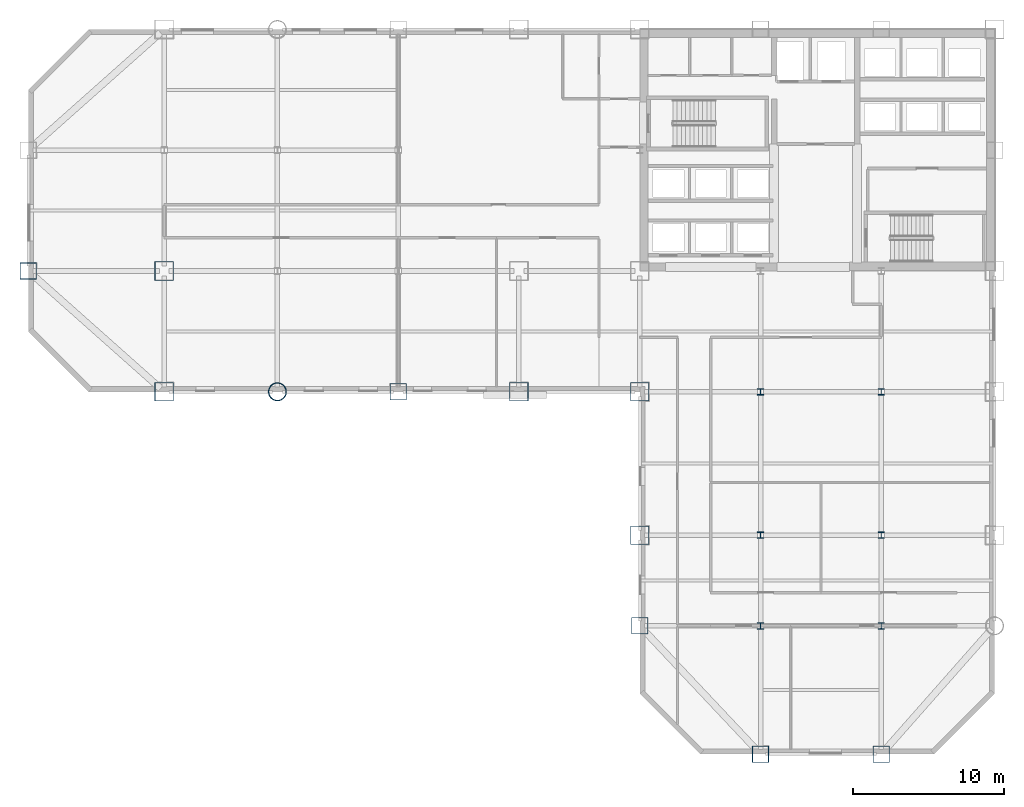
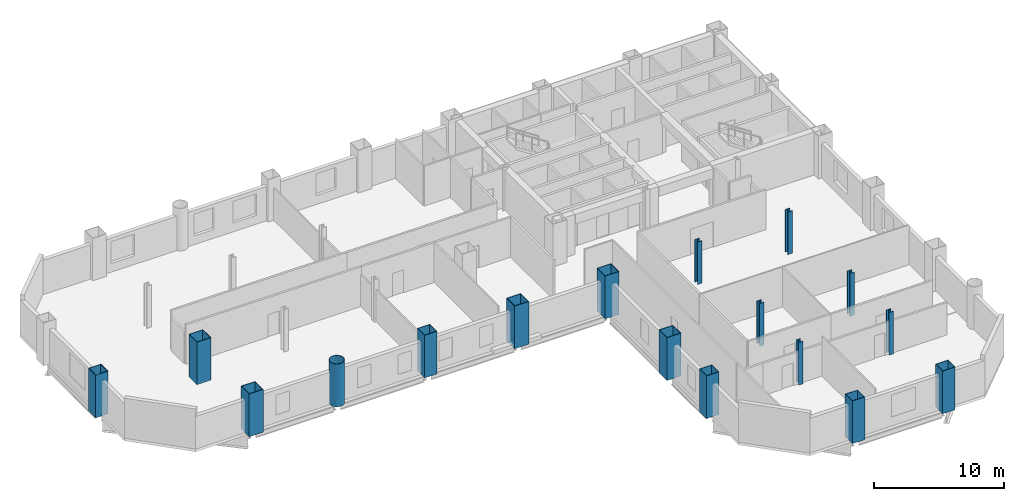
# One storey, part 1 of 9: 17 columns.
"""IFC4 building model written with IfcOpenShell, lengths in metres."""

from ifc_helpers import new_model, si_unit, direction, frame, origin, origin_2d, place, context, subcontext, project, spatial, hollow_rectangle, hollow_circle, i_section, extrude, material, material_profile, profile_set, type_object, element, save


model = new_model("IFC4")

# Units and contexts
model_context = context("Model", 3, precision=1e-05, world=origin(), true_north=direction((0.0, 1.0)))
body_context = subcontext(model_context, "Body", "Model", "MODEL_VIEW")
ifc_project = project(units=[si_unit("LENGTHUNIT", "METRE"), si_unit("AREAUNIT", "SQUARE_METRE"), si_unit("VOLUMEUNIT", "CUBIC_METRE"), si_unit("PLANEANGLEUNIT", "RADIAN"), si_unit("MASSUNIT", "GRAM", prefix="KILO")], contexts=[model_context])

# Site, building, storey
site_placement = place(None, origin())
site = spatial("IfcSite", under=ifc_project, at=site_placement, CompositionType="ELEMENT")
building_placement = place(site_placement, origin())
building = spatial("IfcBuilding", under=site, at=building_placement, Name="Qianrong Seaharbour Tower", CompositionType="ELEMENT")
storey_placement = place(building_placement, frame((0.0, 0.0, 56.199951171875)))
storey = spatial("IfcBuildingStorey", under=building, at=storey_placement, Name="L13", CompositionType="ELEMENT", Elevation=56.199951171875)

# Columns
ifc_material = material(Name="Structural steel SN490B", Category="steel")
ifc_material_profile_1 = material_profile(ifc_material, hollow_rectangle(XDim=1.25, YDim=1.25, WallThickness=0.044921875, at=origin_2d()), Name="BOX1250x1250x45")
ifc_profile_set_1 = profile_set([ifc_material_profile_1], Name="Structural steel SN490B")
column_type_1 = type_object("IfcColumnType", Name="COL-CFT-1250", PredefinedType="COLUMN", material=ifc_profile_set_1)
for number, where, z_axis, x_axis, name in (
    (1, (9.0, 28.0, 0.0), (0.0, 0.0, 1.0), (1.0, 0.0, 0.0), "L13 Column MC-2 at G2/GE"),
    (2, (9.0, 36.0, 0.0), (0.0, 0.0, 1.0), (1.0, 0.0, 0.0), "L13 Column MC-2 at G2/GF"),
    (3, (32.5, 28.0, 0.0), (0.0, 0.0, 1.0), (1.0, 0.0, 0.0), "L13 Column MC-2 at G5/GE"),
    (4, (40.5, 18.5, 0.0), (0.0, 0.0, 1.0), (1.0, 0.0, 0.0), "L13 Column MC-2 at G6/GD"),
    (5, (40.5, 28.0, 0.0), (0.0, 0.0, 1.0), (1.0, 0.0, 0.0), "L13 Column MC-2 at G6/GE"),
):
    element("IfcColumn", number, at=place(storey_placement, frame(where, z_axis=z_axis, x_axis=x_axis)), inside=storey, type_object=column_type_1, Name=name, PredefinedType="COLUMN", context=body_context, shape_type="SweptSolid", body=[
        extrude(hollow_rectangle(XDim=1.25, YDim=1.25, WallThickness=0.044921875, at=origin_2d()), origin(), (0.0, 0.0, 1.0), 4.0),
    ])
ifc_material_profile_2 = material_profile(ifc_material, hollow_circle(Radius=0.60009765625, WallThickness=0.0400390625, at=origin_2d()), Name="CHS1200x40")
ifc_profile_set_2 = profile_set([ifc_material_profile_2], Name="Structural steel SN490B")
column_type_2 = type_object("IfcColumnType", Name="COL-CHS-1200", PredefinedType="COLUMN", material=ifc_profile_set_2)
column_placement = place(storey_placement, frame((16.5, 28.0, 0.0), z_axis=(0.0, 0.0, 1.0), x_axis=(1.0, 0.0, 0.0)))
element("IfcColumn", 6, at=column_placement, inside=storey, type_object=column_type_2, Name="L13 Column CC-1 at G3/GE", PredefinedType="COLUMN", context=body_context, shape_type="SweptSolid", body=[
    extrude(hollow_circle(Radius=0.60009765625, WallThickness=0.0400390625, at=origin_2d()), origin(), (0.0, 0.0, 1.0), 4.0),
])
ifc_material_profile_3 = material_profile(ifc_material, i_section(OverallWidth=0.406982421875, OverallDepth=0.427978515625, WebThickness=0.02001953125, FlangeThickness=0.034912109375, FilletRadius=0.02197265625, at=origin_2d()), Name="H428x407x20x35")
ifc_profile_set_3 = profile_set([ifc_material_profile_3], Name="Structural steel SN490B")
column_type_3 = type_object("IfcColumnType", Name="COL-INT-H428", PredefinedType="COLUMN", material=ifc_profile_set_3)
for number, where, z_axis, x_axis, name in (
    (7, (48.5, 12.5, 0.0), (0.0, 0.0, 1.0), (1.0, 0.0, 0.0), "L13 Column IC-2 at G7/GC"),
    (8, (48.5, 18.5, 0.0), (0.0, 0.0, 1.0), (1.0, 0.0, 0.0), "L13 Column IC-2 at G7/GD"),
    (9, (48.5, 28.0, 0.0), (0.0, 0.0, 1.0), (1.0, 0.0, 0.0), "L13 Column IC-2 at G7/GE"),
    (10, (56.5, 12.5, 0.0), (0.0, 0.0, 1.0), (1.0, 0.0, 0.0), "L13 Column IC-2 at G8/GC"),
    (11, (56.5, 18.5, 0.0), (0.0, 0.0, 1.0), (1.0, 0.0, 0.0), "L13 Column IC-2 at G8/GD"),
    (12, (56.5, 28.0, 0.0), (0.0, 0.0, 1.0), (1.0, 0.0, 0.0), "L13 Column IC-2 at G8/GE"),
):
    element("IfcColumn", number, at=place(storey_placement, frame(where, z_axis=z_axis, x_axis=x_axis)), inside=storey, type_object=column_type_3, Name=name, PredefinedType="COLUMN", context=body_context, shape_type="SweptSolid", body=[
        extrude(i_section(OverallWidth=0.406982421875, OverallDepth=0.427978515625, WebThickness=0.02001953125, FlangeThickness=0.034912109375, FilletRadius=0.02197265625, at=origin_2d()), origin(), (0.0, 0.0, 1.0), 4.0),
    ])
ifc_material_profile_4 = material_profile(ifc_material, hollow_rectangle(XDim=1.10009765625, YDim=1.10009765625, WallThickness=0.0400390625, at=origin_2d()), Name="BOX1100x1100x40")
ifc_profile_set_4 = profile_set([ifc_material_profile_4], Name="Structural steel SN490B")
column_type_4 = type_object("IfcColumnType", Name="COL-PER-1100", PredefinedType="COLUMN", material=ifc_profile_set_4)
for number, where, z_axis, x_axis, name in (
    (13, (0.0, 36.0, 0.0), (0.0, 0.0, 1.0), (1.0, 0.0, 0.0), "L13 Column PC-1 at G1/GF"),
    (14, (24.5, 28.0, 0.0), (0.0, 0.0, 1.0), (1.0, 0.0, 0.0), "L13 Column PC-1 at G4/GE"),
    (15, (40.5, 12.5, 0.0), (0.0, 0.0, 1.0), (1.0, 0.0, 0.0), "L13 Column PC-1 at G6/GC"),
    (16, (48.5, 4.0, 0.0), (0.0, 0.0, 1.0), (1.0, 0.0, 0.0), "L13 Column PC-1 at G7/GB"),
    (17, (56.5, 4.0, 0.0), (0.0, 0.0, 1.0), (1.0, 0.0, 0.0), "L13 Column PC-1 at G8/GB"),
):
    element("IfcColumn", number, at=place(storey_placement, frame(where, z_axis=z_axis, x_axis=x_axis)), inside=storey, type_object=column_type_4, Name=name, PredefinedType="COLUMN", context=body_context, shape_type="SweptSolid", body=[
        extrude(hollow_rectangle(XDim=1.10009765625, YDim=1.10009765625, WallThickness=0.0400390625, at=origin_2d()), origin(), (0.0, 0.0, 1.0), 4.0),
    ])

save(model, "model.ifc")
